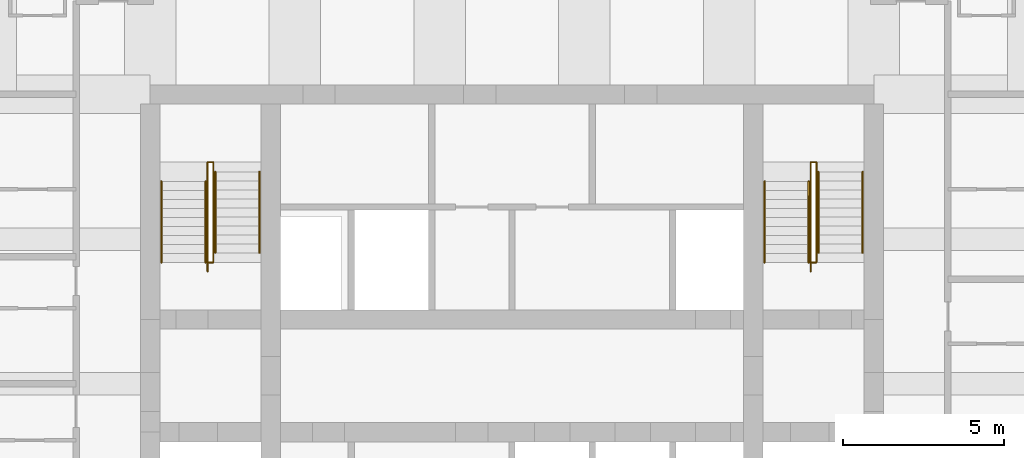
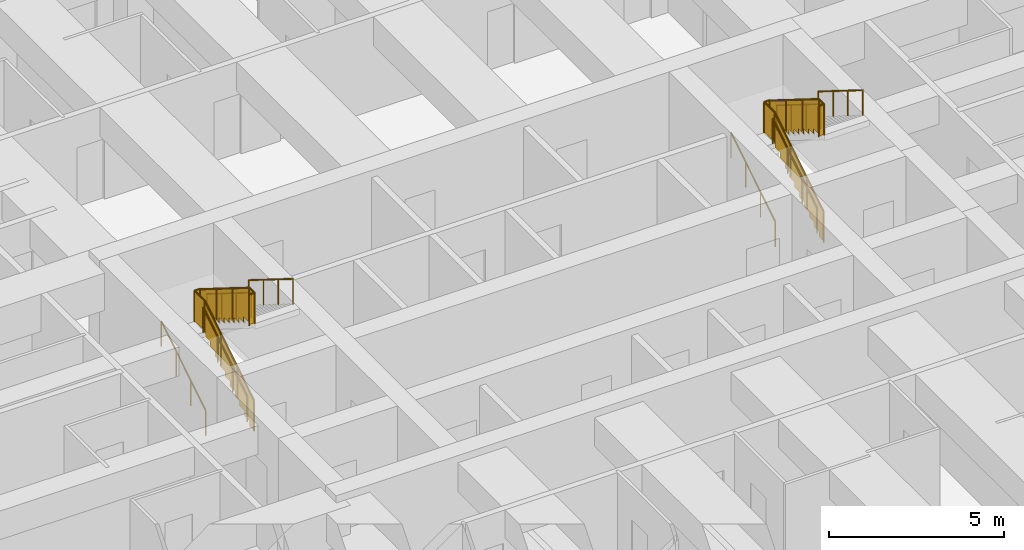
# One storey, part 8 of 8: 12 railings.
"""IFC4 building model written with IfcOpenShell, lengths in metres."""

from ifc_helpers import new_model, si_unit, direction, frame, origin, origin_2d, place, context, subcontext, project, spatial, polyline, circle, outline, extrude, material, type_object, element, save


model = new_model("IFC4")

# Units and contexts
model_context = context("Model", 3, precision=1e-05, world=origin(), true_north=direction((0.0, 1.0)))
body_context = subcontext(model_context, "Body", "Model", "MODEL_VIEW")
ifc_project = project(units=[si_unit("LENGTHUNIT", "METRE"), si_unit("AREAUNIT", "SQUARE_METRE"), si_unit("VOLUMEUNIT", "CUBIC_METRE"), si_unit("PLANEANGLEUNIT", "RADIAN"), si_unit("MASSUNIT", "GRAM", prefix="KILO")], contexts=[model_context])

# Site, building, storey
site_placement = place(None, origin())
site = spatial("IfcSite", under=ifc_project, at=site_placement, CompositionType="ELEMENT")
building_placement = place(site_placement, origin())
building = spatial("IfcBuilding", under=site, at=building_placement, Name="Kilele Tower Hotel", CompositionType="ELEMENT")
storey_placement = place(building_placement, frame((0.0, 0.0, 89.89990234375)))
storey = spatial("IfcBuildingStorey", under=building, at=storey_placement, Name="L22", CompositionType="ELEMENT", Elevation=89.89990234375)

# Railings
ifc_material_1 = material(Name="Steel handrail", Category="steel")
railing_type_1 = type_object("IfcRailingType", Name="Handrail 900", PredefinedType="HANDRAIL", material=ifc_material_1)
for number, where, name in (
    (1, (13.85009765625, 21.77490234375, 0.175048828125), "Handrail ST1 flight 1"),
    (2, (15.22509765625, 21.77490234375, 0.175048828125), "Handrail ST1 flight 1"),
):
    element("IfcRailing", number, at=place(storey_placement, frame(where)), inside=storey, type_object=railing_type_1, Name=name, PredefinedType="HANDRAIL", context=body_context, shape_type="SweptSolid", body=[
        extrude(circle(Radius=0.02490234375, at=origin_2d()), frame((0.0, 0.0, 0.875), z_axis=(0.0, 0.848007534815, 0.529984170421), x_axis=(-1.0, 0.0, 0.0)), (0.0, 0.0, 1.0), 2.9716796875),
        extrude(circle(Radius=0.02001953125, at=origin_2d()), origin(), (0.0, 0.0, 1.0), 0.849853515625),
        extrude(circle(Radius=0.02001953125, at=origin_2d()), frame((0.0, 0.840087890625, 0.52490234375)), (0.0, 0.0, 1.0), 0.849853515625),
        extrude(circle(Radius=0.02001953125, at=origin_2d()), frame((0.0, 1.679931640625, 1.050048828125)), (0.0, 0.0, 1.0), 0.849853515625),
        extrude(circle(Radius=0.02001953125, at=origin_2d()), frame((0.0, 2.52001953125, 1.574951171875)), (0.0, 0.0, 1.0), 0.849853515625),
    ])
for number, where, name in (
    (3, (15.52490234375, 24.594970703125, 1.925048828125), "Handrail ST1 flight 2"),
    (4, (16.89990234375, 24.594970703125, 1.925048828125), "Handrail ST1 flight 2"),
):
    element("IfcRailing", number, at=place(storey_placement, frame(where)), inside=storey, type_object=railing_type_1, Name=name, PredefinedType="HANDRAIL", context=body_context, shape_type="SweptSolid", body=[
        extrude(circle(Radius=0.02490234375, at=origin_2d()), frame((0.0, 0.0, 0.875), z_axis=(0.0, -0.848007534815, 0.529984170421), x_axis=(1.0, 0.0, 0.0)), (0.0, 0.0, 1.0), 2.9716796875),
        extrude(circle(Radius=0.02001953125, at=origin_2d()), origin(), (0.0, 0.0, 1.0), 0.849853515625),
        extrude(circle(Radius=0.02001953125, at=origin_2d()), frame((0.0, -0.840087890625, 0.52490234375)), (0.0, 0.0, 1.0), 0.849853515625),
        extrude(circle(Radius=0.02001953125, at=origin_2d()), frame((0.0, -1.679931640625, 1.050048828125)), (0.0, 0.0, 1.0), 0.849853515625),
        extrude(circle(Radius=0.02001953125, at=origin_2d()), frame((0.0, -2.52001953125, 1.574951171875)), (0.0, 0.0, 1.0), 0.849853515625),
    ])
for number, where, name in (
    (5, (32.60009765625, 21.77490234375, 0.175048828125), "Handrail ST2 flight 1"),
    (6, (33.97509765625, 21.77490234375, 0.175048828125), "Handrail ST2 flight 1"),
):
    element("IfcRailing", number, at=place(storey_placement, frame(where)), inside=storey, type_object=railing_type_1, Name=name, PredefinedType="HANDRAIL", context=body_context, shape_type="SweptSolid", body=[
        extrude(circle(Radius=0.02490234375, at=origin_2d()), frame((0.0, 0.0, 0.875), z_axis=(0.0, 0.848007534815, 0.529984170421), x_axis=(-1.0, 0.0, 0.0)), (0.0, 0.0, 1.0), 2.9716796875),
        extrude(circle(Radius=0.02001953125, at=origin_2d()), origin(), (0.0, 0.0, 1.0), 0.849853515625),
        extrude(circle(Radius=0.02001953125, at=origin_2d()), frame((0.0, 0.840087890625, 0.52490234375)), (0.0, 0.0, 1.0), 0.849853515625),
        extrude(circle(Radius=0.02001953125, at=origin_2d()), frame((0.0, 1.679931640625, 1.050048828125)), (0.0, 0.0, 1.0), 0.849853515625),
        extrude(circle(Radius=0.02001953125, at=origin_2d()), frame((0.0, 2.52001953125, 1.574951171875)), (0.0, 0.0, 1.0), 0.849853515625),
    ])
for number, where, name in (
    (7, (34.27490234375, 24.594970703125, 1.925048828125), "Handrail ST2 flight 2"),
    (8, (35.64990234375, 24.594970703125, 1.925048828125), "Handrail ST2 flight 2"),
):
    element("IfcRailing", number, at=place(storey_placement, frame(where)), inside=storey, type_object=railing_type_1, Name=name, PredefinedType="HANDRAIL", context=body_context, shape_type="SweptSolid", body=[
        extrude(circle(Radius=0.02490234375, at=origin_2d()), frame((0.0, 0.0, 0.875), z_axis=(0.0, -0.848007534815, 0.529984170421), x_axis=(1.0, 0.0, 0.0)), (0.0, 0.0, 1.0), 2.9716796875),
        extrude(circle(Radius=0.02001953125, at=origin_2d()), origin(), (0.0, 0.0, 1.0), 0.849853515625),
        extrude(circle(Radius=0.02001953125, at=origin_2d()), frame((0.0, -0.840087890625, 0.52490234375)), (0.0, 0.0, 1.0), 0.849853515625),
        extrude(circle(Radius=0.02001953125, at=origin_2d()), frame((0.0, -1.679931640625, 1.050048828125)), (0.0, 0.0, 1.0), 0.849853515625),
        extrude(circle(Radius=0.02001953125, at=origin_2d()), frame((0.0, -2.52001953125, 1.574951171875)), (0.0, 0.0, 1.0), 0.849853515625),
    ])
ifc_material_2 = material(Name="Steel guard", Category="steel")
railing_type_2 = type_object("IfcRailingType", Name="Stair guard 1100", PredefinedType="GUARDRAIL", material=ifc_material_2)
railing_1_placement = place(storey_placement, frame((15.284912109375, 21.4951171875, 0.0)))
element("IfcRailing", 9, at=railing_1_placement, inside=storey, type_object=railing_type_2, Name="Stair well guard ST1 flight 1", PredefinedType="GUARDRAIL", context=body_context, shape_type="SweptSolid", body=[
    extrude(circle(Radius=0.02490234375, at=origin_2d()), frame((0.0, 0.0, 1.0751953125), z_axis=(0.0, 0.847981687118, 0.530025526095), x_axis=(-1.0, 0.0, 0.0)), (0.0, 0.0, 1.0), 3.3017578125),
    extrude(circle(Radius=0.02490234375, at=origin_2d()), frame((0.0, 2.7998046875, 2.8251953125), z_axis=(0.0, 1.0, 0.0), x_axis=(-1.0, 0.0, 0.0)), (0.0, 0.0, 1.0), 0.60009765625),
    extrude(circle(Radius=0.02490234375, at=origin_2d()), frame((0.0, 3.39990234375, 2.8251953125), z_axis=(1.0, 0.0, 0.0), x_axis=(0.0, 1.0, 0.0)), (0.0, 0.0, 1.0), 0.18017578125),
    extrude(circle(Radius=0.02490234375, at=origin_2d()), origin(), (0.0, 0.0, 1.0), 1.050048828125),
    extrude(circle(Radius=0.02490234375, at=origin_2d()), frame((0.0, 0.933349609375, 0.583251953125)), (0.0, 0.0, 1.0), 1.050048828125),
    extrude(circle(Radius=0.02490234375, at=origin_2d()), frame((0.0, 1.866455078125, 1.166748046875)), (0.0, 0.0, 1.0), 1.050048828125),
    extrude(circle(Radius=0.02490234375, at=origin_2d()), frame((0.0, 2.7998046875, 1.75)), (0.0, 0.0, 1.0), 1.050048828125),
    extrude(circle(Radius=0.02490234375, at=origin_2d()), frame((0.0, 3.39990234375, 1.75)), (0.0, 0.0, 1.0), 1.050048828125),
    extrude(circle(Radius=0.02490234375, at=origin_2d()), frame((0.18017578125, 3.39990234375, 1.75)), (0.0, 0.0, 1.0), 1.050048828125),
    extrude(outline(polyline([(0.012451171875, 0.030029296875), (0.25, 0.030029296875), (0.25, 0.205078125), (0.530029296875, 0.205078125), (0.530029296875, 0.380126953125), (0.809814453125, 0.380126953125), (0.809814453125, 0.554931640625), (1.08984375, 0.554931640625), (1.08984375, 0.72998046875), (1.369873046875, 0.72998046875), (1.369873046875, 0.905029296875), (1.64990234375, 0.905029296875), (1.64990234375, 1.080078125), (1.929931640625, 1.080078125), (1.929931640625, 1.255126953125), (2.209716796875, 1.255126953125), (2.209716796875, 1.429931640625), (2.48974609375, 1.429931640625), (2.48974609375, 1.60498046875), (2.769775390625, 1.60498046875), (2.769775390625, 1.780029296875), (2.787353515625, 1.780029296875), (2.787353515625, 2.787841796875), (0.012451171875, 1.053466796875), (0.012451171875, 0.030029296875)])), frame((-0.005859375, 0.0, 0.0), z_axis=(1.0, 0.0, 0.0), x_axis=(0.0, 1.0, 0.0)), (0.0, 0.0, 1.0), 0.011962890625),
    extrude(outline(polyline([(0.012451171875, 0.030029296875), (0.587646484375, 0.030029296875), (0.587646484375, 1.050048828125), (0.012451171875, 1.050048828125), (0.012451171875, 0.030029296875)])), frame((-0.005859375, 2.7998046875, 1.75), z_axis=(1.0, 0.0, 0.0), x_axis=(0.0, 1.0, 0.0)), (0.0, 0.0, 1.0), 0.011962890625),
    extrude(outline(polyline([(0.012451171875, 0.030029296875), (0.18017578125, 0.030029296875), (0.18017578125, 1.050048828125), (0.012451171875, 1.050048828125), (0.012451171875, 0.030029296875)])), frame((0.0, 3.40576171875, 1.75), z_axis=(0.0, -1.0, 0.0), x_axis=(1.0, 0.0, 0.0)), (0.0, 0.0, 1.0), 0.011962890625),
])
railing_2_placement = place(storey_placement, frame((15.465087890625, 24.89501953125, 1.75)))
element("IfcRailing", 10, at=railing_2_placement, inside=storey, type_object=railing_type_2, Name="Stair well guard ST1 flight 2", PredefinedType="GUARDRAIL", context=body_context, shape_type="SweptSolid", body=[
    extrude(circle(Radius=0.02490234375, at=origin_2d()), frame((0.0, 0.0, 1.0751953125), z_axis=(0.0, -1.0, 0.0), x_axis=(1.0, 0.0, 0.0)), (0.0, 0.0, 1.0), 0.02001953125),
    extrude(circle(Radius=0.02490234375, at=origin_2d()), frame((0.0, -0.02001953125, 1.0751953125), z_axis=(0.0, -0.848002457836, 0.529992293815), x_axis=(1.0, 0.0, 0.0)), (0.0, 0.0, 1.0), 3.302001953125),
    extrude(circle(Radius=0.02490234375, at=origin_2d()), frame((0.0, -2.820068359375, 2.8251953125), z_axis=(0.0, -1.0, 0.0), x_axis=(1.0, 0.0, 0.0)), (0.0, 0.0, 1.0), 0.300048828125),
    extrude(circle(Radius=0.02490234375, at=origin_2d()), frame((0.0, -3.1201171875, 2.8251953125), z_axis=(-1.0, 0.0, 0.0), x_axis=(0.0, -1.0, 0.0)), (0.0, 0.0, 1.0), 0.18017578125),
    extrude(circle(Radius=0.02490234375, at=origin_2d()), origin(), (0.0, 0.0, 1.0), 1.050048828125),
    extrude(circle(Radius=0.02490234375, at=origin_2d()), frame((0.0, -0.02001953125, 0.0)), (0.0, 0.0, 1.0), 1.050048828125),
    extrude(circle(Radius=0.02490234375, at=origin_2d()), frame((0.0, -0.953369140625, 0.583251953125)), (0.0, 0.0, 1.0), 1.050048828125),
    extrude(circle(Radius=0.02490234375, at=origin_2d()), frame((0.0, -1.88671875, 1.166748046875)), (0.0, 0.0, 1.0), 1.050048828125),
    extrude(circle(Radius=0.02490234375, at=origin_2d()), frame((0.0, -2.820068359375, 1.75)), (0.0, 0.0, 1.0), 1.050048828125),
    extrude(circle(Radius=0.02490234375, at=origin_2d()), frame((0.0, -3.1201171875, 1.75)), (0.0, 0.0, 1.0), 1.050048828125),
    extrude(circle(Radius=0.02490234375, at=origin_2d()), frame((-0.18017578125, -3.1201171875, 1.75)), (0.0, 0.0, 1.0), 1.050048828125),
    extrude(outline(polyline([(0.012451171875, 0.030029296875), (0.25, 0.030029296875), (0.25, 0.205078125), (0.530029296875, 0.205078125), (0.530029296875, 0.380126953125), (0.81005859375, 0.380126953125), (0.81005859375, 0.554931640625), (1.090087890625, 0.554931640625), (1.090087890625, 0.72998046875), (1.3701171875, 0.72998046875), (1.3701171875, 0.905029296875), (1.64990234375, 0.905029296875), (1.64990234375, 1.080078125), (1.929931640625, 1.080078125), (1.929931640625, 1.255126953125), (2.2099609375, 1.255126953125), (2.2099609375, 1.429931640625), (2.489990234375, 1.429931640625), (2.489990234375, 1.60498046875), (2.77001953125, 1.60498046875), (2.77001953125, 1.780029296875), (2.78759765625, 1.780029296875), (2.78759765625, 2.787841796875), (0.012451171875, 1.053466796875), (0.012451171875, 0.030029296875)])), frame((0.005859375, -0.02001953125, 0.0), z_axis=(-1.0, 0.0, 0.0), x_axis=(0.0, -1.0, 0.0)), (0.0, 0.0, 1.0), 0.011962890625),
    extrude(outline(polyline([(0.012451171875, 0.030029296875), (0.28759765625, 0.030029296875), (0.28759765625, 1.050048828125), (0.012451171875, 1.050048828125), (0.012451171875, 0.030029296875)])), frame((0.005859375, -2.820068359375, 1.75), z_axis=(-1.0, 0.0, 0.0), x_axis=(0.0, -1.0, 0.0)), (0.0, 0.0, 1.0), 0.011962890625),
    extrude(outline(polyline([(0.012451171875, 0.030029296875), (0.18017578125, 0.030029296875), (0.18017578125, 1.050048828125), (0.012451171875, 1.050048828125), (0.012451171875, 0.030029296875)])), frame((0.0, -3.1259765625, 1.75), z_axis=(0.0, 1.0, 0.0), x_axis=(-1.0, 0.0, 0.0)), (0.0, 0.0, 1.0), 0.011962890625),
])
railing_3_placement = place(storey_placement, frame((34.034912109375, 21.4951171875, 0.0)))
element("IfcRailing", 11, at=railing_3_placement, inside=storey, type_object=railing_type_2, Name="Stair well guard ST2 flight 1", PredefinedType="GUARDRAIL", context=body_context, shape_type="SweptSolid", body=[
    extrude(circle(Radius=0.02490234375, at=origin_2d()), frame((0.0, 0.0, 1.0751953125), z_axis=(0.0, 0.847981687118, 0.530025526095), x_axis=(-1.0, 0.0, 0.0)), (0.0, 0.0, 1.0), 3.3017578125),
    extrude(circle(Radius=0.02490234375, at=origin_2d()), frame((0.0, 2.7998046875, 2.8251953125), z_axis=(0.0, 1.0, 0.0), x_axis=(-1.0, 0.0, 0.0)), (0.0, 0.0, 1.0), 0.60009765625),
    extrude(circle(Radius=0.02490234375, at=origin_2d()), frame((0.0, 3.39990234375, 2.8251953125), z_axis=(1.0, 0.0, 0.0), x_axis=(0.0, 1.0, 0.0)), (0.0, 0.0, 1.0), 0.18017578125),
    extrude(circle(Radius=0.02490234375, at=origin_2d()), origin(), (0.0, 0.0, 1.0), 1.050048828125),
    extrude(circle(Radius=0.02490234375, at=origin_2d()), frame((0.0, 0.933349609375, 0.583251953125)), (0.0, 0.0, 1.0), 1.050048828125),
    extrude(circle(Radius=0.02490234375, at=origin_2d()), frame((0.0, 1.866455078125, 1.166748046875)), (0.0, 0.0, 1.0), 1.050048828125),
    extrude(circle(Radius=0.02490234375, at=origin_2d()), frame((0.0, 2.7998046875, 1.75)), (0.0, 0.0, 1.0), 1.050048828125),
    extrude(circle(Radius=0.02490234375, at=origin_2d()), frame((0.0, 3.39990234375, 1.75)), (0.0, 0.0, 1.0), 1.050048828125),
    extrude(circle(Radius=0.02490234375, at=origin_2d()), frame((0.18017578125, 3.39990234375, 1.75)), (0.0, 0.0, 1.0), 1.050048828125),
    extrude(outline(polyline([(0.012451171875, 0.030029296875), (0.25, 0.030029296875), (0.25, 0.205078125), (0.530029296875, 0.205078125), (0.530029296875, 0.380126953125), (0.809814453125, 0.380126953125), (0.809814453125, 0.554931640625), (1.08984375, 0.554931640625), (1.08984375, 0.72998046875), (1.369873046875, 0.72998046875), (1.369873046875, 0.905029296875), (1.64990234375, 0.905029296875), (1.64990234375, 1.080078125), (1.929931640625, 1.080078125), (1.929931640625, 1.255126953125), (2.209716796875, 1.255126953125), (2.209716796875, 1.429931640625), (2.48974609375, 1.429931640625), (2.48974609375, 1.60498046875), (2.769775390625, 1.60498046875), (2.769775390625, 1.780029296875), (2.787353515625, 1.780029296875), (2.787353515625, 2.787841796875), (0.012451171875, 1.053466796875), (0.012451171875, 0.030029296875)])), frame((-0.005859375, 0.0, 0.0), z_axis=(1.0, 0.0, 0.0), x_axis=(0.0, 1.0, 0.0)), (0.0, 0.0, 1.0), 0.011962890625),
    extrude(outline(polyline([(0.012451171875, 0.030029296875), (0.587646484375, 0.030029296875), (0.587646484375, 1.050048828125), (0.012451171875, 1.050048828125), (0.012451171875, 0.030029296875)])), frame((-0.005859375, 2.7998046875, 1.75), z_axis=(1.0, 0.0, 0.0), x_axis=(0.0, 1.0, 0.0)), (0.0, 0.0, 1.0), 0.011962890625),
    extrude(outline(polyline([(0.012451171875, 0.030029296875), (0.18017578125, 0.030029296875), (0.18017578125, 1.050048828125), (0.012451171875, 1.050048828125), (0.012451171875, 0.030029296875)])), frame((0.0, 3.40576171875, 1.75), z_axis=(0.0, -1.0, 0.0), x_axis=(1.0, 0.0, 0.0)), (0.0, 0.0, 1.0), 0.011962890625),
])
railing_4_placement = place(storey_placement, frame((34.215087890625, 24.89501953125, 1.75)))
element("IfcRailing", 12, at=railing_4_placement, inside=storey, type_object=railing_type_2, Name="Stair well guard ST2 flight 2", PredefinedType="GUARDRAIL", context=body_context, shape_type="SweptSolid", body=[
    extrude(circle(Radius=0.02490234375, at=origin_2d()), frame((0.0, 0.0, 1.0751953125), z_axis=(0.0, -1.0, 0.0), x_axis=(1.0, 0.0, 0.0)), (0.0, 0.0, 1.0), 0.02001953125),
    extrude(circle(Radius=0.02490234375, at=origin_2d()), frame((0.0, -0.02001953125, 1.0751953125), z_axis=(0.0, -0.848002457836, 0.529992293815), x_axis=(1.0, 0.0, 0.0)), (0.0, 0.0, 1.0), 3.302001953125),
    extrude(circle(Radius=0.02490234375, at=origin_2d()), frame((0.0, -2.820068359375, 2.8251953125), z_axis=(0.0, -1.0, 0.0), x_axis=(1.0, 0.0, 0.0)), (0.0, 0.0, 1.0), 0.300048828125),
    extrude(circle(Radius=0.02490234375, at=origin_2d()), frame((0.0, -3.1201171875, 2.8251953125), z_axis=(-1.0, 0.0, 0.0), x_axis=(0.0, -1.0, 0.0)), (0.0, 0.0, 1.0), 0.18017578125),
    extrude(circle(Radius=0.02490234375, at=origin_2d()), origin(), (0.0, 0.0, 1.0), 1.050048828125),
    extrude(circle(Radius=0.02490234375, at=origin_2d()), frame((0.0, -0.02001953125, 0.0)), (0.0, 0.0, 1.0), 1.050048828125),
    extrude(circle(Radius=0.02490234375, at=origin_2d()), frame((0.0, -0.953369140625, 0.583251953125)), (0.0, 0.0, 1.0), 1.050048828125),
    extrude(circle(Radius=0.02490234375, at=origin_2d()), frame((0.0, -1.88671875, 1.166748046875)), (0.0, 0.0, 1.0), 1.050048828125),
    extrude(circle(Radius=0.02490234375, at=origin_2d()), frame((0.0, -2.820068359375, 1.75)), (0.0, 0.0, 1.0), 1.050048828125),
    extrude(circle(Radius=0.02490234375, at=origin_2d()), frame((0.0, -3.1201171875, 1.75)), (0.0, 0.0, 1.0), 1.050048828125),
    extrude(circle(Radius=0.02490234375, at=origin_2d()), frame((-0.18017578125, -3.1201171875, 1.75)), (0.0, 0.0, 1.0), 1.050048828125),
    extrude(outline(polyline([(0.012451171875, 0.030029296875), (0.25, 0.030029296875), (0.25, 0.205078125), (0.530029296875, 0.205078125), (0.530029296875, 0.380126953125), (0.81005859375, 0.380126953125), (0.81005859375, 0.554931640625), (1.090087890625, 0.554931640625), (1.090087890625, 0.72998046875), (1.3701171875, 0.72998046875), (1.3701171875, 0.905029296875), (1.64990234375, 0.905029296875), (1.64990234375, 1.080078125), (1.929931640625, 1.080078125), (1.929931640625, 1.255126953125), (2.2099609375, 1.255126953125), (2.2099609375, 1.429931640625), (2.489990234375, 1.429931640625), (2.489990234375, 1.60498046875), (2.77001953125, 1.60498046875), (2.77001953125, 1.780029296875), (2.78759765625, 1.780029296875), (2.78759765625, 2.787841796875), (0.012451171875, 1.053466796875), (0.012451171875, 0.030029296875)])), frame((0.005859375, -0.02001953125, 0.0), z_axis=(-1.0, 0.0, 0.0), x_axis=(0.0, -1.0, 0.0)), (0.0, 0.0, 1.0), 0.011962890625),
    extrude(outline(polyline([(0.012451171875, 0.030029296875), (0.28759765625, 0.030029296875), (0.28759765625, 1.050048828125), (0.012451171875, 1.050048828125), (0.012451171875, 0.030029296875)])), frame((0.005859375, -2.820068359375, 1.75), z_axis=(-1.0, 0.0, 0.0), x_axis=(0.0, -1.0, 0.0)), (0.0, 0.0, 1.0), 0.011962890625),
    extrude(outline(polyline([(0.012451171875, 0.030029296875), (0.18017578125, 0.030029296875), (0.18017578125, 1.050048828125), (0.012451171875, 1.050048828125), (0.012451171875, 0.030029296875)])), frame((0.0, -3.1259765625, 1.75), z_axis=(0.0, 1.0, 0.0), x_axis=(-1.0, 0.0, 0.0)), (0.0, 0.0, 1.0), 0.011962890625),
])

save(model, "model.ifc")
